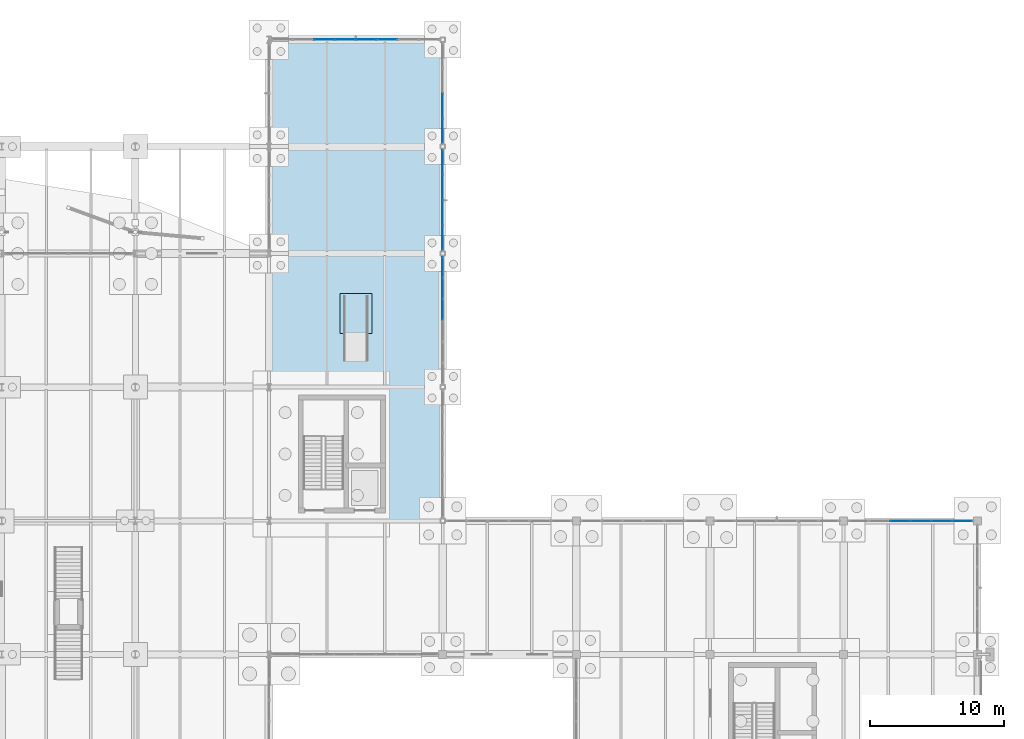
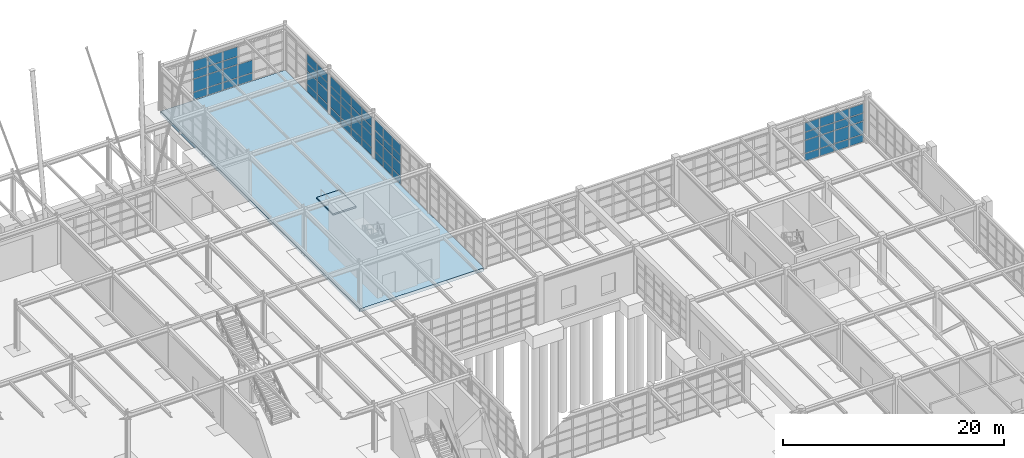
# One storey, part 98 of 145: 66 plates, 2 slabs, 5 elements without a shape of their own.
"""IFC4 building model written with IfcOpenShell, lengths in metres."""

from ifc_helpers import new_model, si_unit, direction, frame, origin, origin_2d, place, context, subcontext, project, spatial, polyline, rectangle, outline, extrude, material, layer, layer_set, type_object, element, aggregate, save


model = new_model("IFC4")

# Units and contexts
model_context = context("Model", 3, precision=1e-05, world=origin(), true_north=direction((0.0, 1.0)))
body_context = subcontext(model_context, "Body", "Model", "MODEL_VIEW")
ifc_project = project(units=[si_unit("LENGTHUNIT", "METRE"), si_unit("AREAUNIT", "SQUARE_METRE"), si_unit("VOLUMEUNIT", "CUBIC_METRE"), si_unit("PLANEANGLEUNIT", "RADIAN"), si_unit("MASSUNIT", "GRAM", prefix="KILO"), si_unit("THERMODYNAMICTEMPERATUREUNIT", "KELVIN"), si_unit("POWERUNIT", "WATT")], contexts=[model_context])

# Site, building, storey
site_placement = place(None, origin())
site = spatial("IfcSite", under=ifc_project, at=site_placement, CompositionType="ELEMENT")
building_placement = place(site_placement, origin())
building = spatial("IfcBuilding", under=site, at=building_placement, Name="Korenveer Ferry Terminal", CompositionType="ELEMENT")
storey_placement = place(building_placement, origin())
storey = spatial("IfcBuildingStorey", under=building, at=storey_placement, Name="L00", CompositionType="ELEMENT", Elevation=0.0)

# Curtain wall, plates
ifc_material_1 = material(Name="Unitised bronze-and-glass curtain wall", Category="glass")
ifc_layer_1 = layer(ifc_material_1, 0.219970703125)
ifc_layer_set_1 = layer_set([ifc_layer_1], Name="Unitised bronze-and-glass curtain wall")
curtain_wall_type_1 = type_object("IfcCurtainWallType", Name="ENV-CW-09", PredefinedType="USERDEFINED", material=ifc_layer_set_1)
curtain_wall_1_placement = place(storey_placement, frame((166.330078125, 80.0, 0.0)))
curtain_wall_1 = element("IfcCurtainWall", 1, at=curtain_wall_1_placement, inside=storey, type_object=curtain_wall_type_1, Name="Lancet curtain wall CWX-L00-X166-176-Y80-80", ObjectType="UNITISED CURTAIN WALL", PredefinedType="USERDEFINED")
ifc_material_2 = material(Name="Acoustic laminated marine glazing", Category="glass")
ifc_layer_2 = layer(ifc_material_2, 0.035888671875)
ifc_layer_set_2 = layer_set([ifc_layer_2], Name="Acoustic laminated marine glazing")
plate_type = type_object("IfcPlateType", Name="ENV-CWP-GLZ36", PredefinedType="CURTAIN_PANEL", material=ifc_layer_set_2)
plate_1_placement = place(storey_placement, frame((170.2216796875, 80.0, 0.074951171875), z_axis=(0.0, 0.0, 1.0), x_axis=(1.0, 0.0, 0.0)))
plate_1 = element("IfcPlate", 2, at=plate_1_placement, type_object=plate_type, Name="CW-09 panel 3.1", PredefinedType="CURTAIN_PANEL", context=body_context, shape_type="SweptSolid", body=[
    extrude(rectangle(XDim=1.481689453125, YDim=0.035888671875, at=origin_2d()), origin(), (0.0, 0.0, 1.0), 0.78759765625),
])
plate_2_placement = place(storey_placement, frame((170.2216796875, 80.0, 0.9375), z_axis=(0.0, 0.0, 1.0), x_axis=(1.0, 0.0, 0.0)))
plate_2 = element("IfcPlate", 3, at=plate_2_placement, type_object=plate_type, Name="CW-09 panel 3.2", PredefinedType="CURTAIN_PANEL", context=body_context, shape_type="SweptSolid", body=[
    extrude(rectangle(XDim=1.481689453125, YDim=0.035888671875, at=origin_2d()), origin(), (0.0, 0.0, 1.0), 1.375),
])
plate_3_placement = place(storey_placement, frame((170.2216796875, 80.0, 2.3876953125), z_axis=(0.0, 0.0, 1.0), x_axis=(1.0, 0.0, 0.0)))
plate_3 = element("IfcPlate", 4, at=plate_3_placement, type_object=plate_type, Name="CW-09 panel 3.3", PredefinedType="CURTAIN_PANEL", context=body_context, shape_type="SweptSolid", body=[
    extrude(rectangle(XDim=1.481689453125, YDim=0.035888671875, at=origin_2d()), origin(), (0.0, 0.0, 1.0), 0.824951171875),
])
plate_4_placement = place(storey_placement, frame((170.2216796875, 80.0, 3.28759765625), z_axis=(0.0, 0.0, 1.0), x_axis=(1.0, 0.0, 0.0)))
plate_4 = element("IfcPlate", 5, at=plate_4_placement, type_object=plate_type, Name="CW-09 panel 3.4", PredefinedType="CURTAIN_PANEL", context=body_context, shape_type="SweptSolid", body=[
    extrude(rectangle(XDim=1.481689453125, YDim=0.035888671875, at=origin_2d()), origin(), (0.0, 0.0, 1.0), 0.9775390625),
])
plate_5_placement = place(storey_placement, frame((171.7783203125, 80.0, 0.074951171875), z_axis=(0.0, 0.0, 1.0), x_axis=(1.0, 0.0, 0.0)))
plate_5 = element("IfcPlate", 6, at=plate_5_placement, type_object=plate_type, Name="CW-09 panel 4.1", PredefinedType="CURTAIN_PANEL", context=body_context, shape_type="SweptSolid", body=[
    extrude(rectangle(XDim=1.481689453125, YDim=0.035888671875, at=origin_2d()), origin(), (0.0, 0.0, 1.0), 0.78759765625),
])
plate_6_placement = place(storey_placement, frame((171.7783203125, 80.0, 0.9375), z_axis=(0.0, 0.0, 1.0), x_axis=(1.0, 0.0, 0.0)))
plate_6 = element("IfcPlate", 7, at=plate_6_placement, type_object=plate_type, Name="CW-09 panel 4.2", PredefinedType="CURTAIN_PANEL", context=body_context, shape_type="SweptSolid", body=[
    extrude(rectangle(XDim=1.481689453125, YDim=0.035888671875, at=origin_2d()), origin(), (0.0, 0.0, 1.0), 1.375),
])
plate_7_placement = place(storey_placement, frame((171.7783203125, 80.0, 2.3876953125), z_axis=(0.0, 0.0, 1.0), x_axis=(1.0, 0.0, 0.0)))
plate_7 = element("IfcPlate", 8, at=plate_7_placement, type_object=plate_type, Name="CW-09 panel 4.3", PredefinedType="CURTAIN_PANEL", context=body_context, shape_type="SweptSolid", body=[
    extrude(rectangle(XDim=1.481689453125, YDim=0.035888671875, at=origin_2d()), origin(), (0.0, 0.0, 1.0), 0.824951171875),
])
plate_8_placement = place(storey_placement, frame((171.7783203125, 80.0, 3.28759765625), z_axis=(0.0, 0.0, 1.0), x_axis=(1.0, 0.0, 0.0)))
plate_8 = element("IfcPlate", 9, at=plate_8_placement, type_object=plate_type, Name="CW-09 panel 4.4", PredefinedType="CURTAIN_PANEL", context=body_context, shape_type="SweptSolid", body=[
    extrude(rectangle(XDim=1.481689453125, YDim=0.035888671875, at=origin_2d()), origin(), (0.0, 0.0, 1.0), 0.9775390625),
])
plate_9_placement = place(storey_placement, frame((173.3349609375, 80.0, 0.074951171875), z_axis=(0.0, 0.0, 1.0), x_axis=(1.0, 0.0, 0.0)))
plate_9 = element("IfcPlate", 10, at=plate_9_placement, type_object=plate_type, Name="CW-09 panel 5.1", PredefinedType="CURTAIN_PANEL", context=body_context, shape_type="SweptSolid", body=[
    extrude(rectangle(XDim=1.481689453125, YDim=0.035888671875, at=origin_2d()), origin(), (0.0, 0.0, 1.0), 0.78759765625),
])
plate_10_placement = place(storey_placement, frame((173.3349609375, 80.0, 0.9375), z_axis=(0.0, 0.0, 1.0), x_axis=(1.0, 0.0, 0.0)))
plate_10 = element("IfcPlate", 11, at=plate_10_placement, type_object=plate_type, Name="CW-09 panel 5.2", PredefinedType="CURTAIN_PANEL", context=body_context, shape_type="SweptSolid", body=[
    extrude(rectangle(XDim=1.481689453125, YDim=0.035888671875, at=origin_2d()), origin(), (0.0, 0.0, 1.0), 1.375),
])
plate_11_placement = place(storey_placement, frame((173.3349609375, 80.0, 2.3876953125), z_axis=(0.0, 0.0, 1.0), x_axis=(1.0, 0.0, 0.0)))
plate_11 = element("IfcPlate", 12, at=plate_11_placement, type_object=plate_type, Name="CW-09 panel 5.3", PredefinedType="CURTAIN_PANEL", context=body_context, shape_type="SweptSolid", body=[
    extrude(rectangle(XDim=1.481689453125, YDim=0.035888671875, at=origin_2d()), origin(), (0.0, 0.0, 1.0), 0.824951171875),
])
plate_12_placement = place(storey_placement, frame((173.3349609375, 80.0, 3.28759765625), z_axis=(0.0, 0.0, 1.0), x_axis=(1.0, 0.0, 0.0)))
plate_12 = element("IfcPlate", 13, at=plate_12_placement, type_object=plate_type, Name="CW-09 panel 5.4", PredefinedType="CURTAIN_PANEL", context=body_context, shape_type="SweptSolid", body=[
    extrude(rectangle(XDim=1.481689453125, YDim=0.035888671875, at=origin_2d()), origin(), (0.0, 0.0, 1.0), 0.9775390625),
])
plate_13_placement = place(storey_placement, frame((174.872802734375, 80.0, 0.074951171875), z_axis=(0.0, 0.0, 1.0), x_axis=(1.0, 0.0, 0.0)))
plate_13 = element("IfcPlate", 14, at=plate_13_placement, type_object=plate_type, Name="CW-09 panel 6.1", PredefinedType="CURTAIN_PANEL", context=body_context, shape_type="SweptSolid", body=[
    extrude(rectangle(XDim=1.444091796875, YDim=0.035888671875, at=origin_2d()), origin(), (0.0, 0.0, 1.0), 0.78759765625),
])
plate_14_placement = place(storey_placement, frame((174.872802734375, 80.0, 0.9375), z_axis=(0.0, 0.0, 1.0), x_axis=(1.0, 0.0, 0.0)))
plate_14 = element("IfcPlate", 15, at=plate_14_placement, type_object=plate_type, Name="CW-09 panel 6.2", PredefinedType="CURTAIN_PANEL", context=body_context, shape_type="SweptSolid", body=[
    extrude(rectangle(XDim=1.444091796875, YDim=0.035888671875, at=origin_2d()), origin(), (0.0, 0.0, 1.0), 1.375),
])
plate_15_placement = place(storey_placement, frame((174.872802734375, 80.0, 2.3876953125), z_axis=(0.0, 0.0, 1.0), x_axis=(1.0, 0.0, 0.0)))
plate_15 = element("IfcPlate", 16, at=plate_15_placement, type_object=plate_type, Name="CW-09 panel 6.3", PredefinedType="CURTAIN_PANEL", context=body_context, shape_type="SweptSolid", body=[
    extrude(rectangle(XDim=1.444091796875, YDim=0.035888671875, at=origin_2d()), origin(), (0.0, 0.0, 1.0), 0.824951171875),
])
plate_16_placement = place(storey_placement, frame((174.872802734375, 80.0, 3.28759765625), z_axis=(0.0, 0.0, 1.0), x_axis=(1.0, 0.0, 0.0)))
plate_16 = element("IfcPlate", 17, at=plate_16_placement, type_object=plate_type, Name="CW-09 panel 6.4", PredefinedType="CURTAIN_PANEL", context=body_context, shape_type="SweptSolid", body=[
    extrude(rectangle(XDim=1.444091796875, YDim=0.035888671875, at=origin_2d()), origin(), (0.0, 0.0, 1.0), 0.9775390625),
])
aggregate(curtain_wall_1, [plate_1, plate_2, plate_3, plate_4, plate_5, plate_6, plate_7, plate_8, plate_9, plate_10, plate_11, plate_12, plate_13, plate_14, plate_15, plate_16])

ifc_layer_3 = layer(ifc_material_1, 0.219970703125)
ifc_layer_set_3 = layer_set([ifc_layer_3], Name="Unitised bronze-and-glass curtain wall")
curtain_wall_type_2 = type_object("IfcCurtainWallType", Name="ENV-CW-17", PredefinedType="USERDEFINED", material=ifc_layer_set_3)
curtain_wall_2_placement = place(storey_placement, frame((123.179931640625, 116.0, 0.0)))
curtain_wall_2 = element("IfcCurtainWall", 18, at=curtain_wall_2_placement, inside=storey, type_object=curtain_wall_type_2, Name="Lancet curtain wall CWX-L00-X123-136-Y116-116", ObjectType="UNITISED CURTAIN WALL", PredefinedType="USERDEFINED")
plate_17_placement = place(storey_placement, frame((127.121337890625, 116.0, 0.074951171875), z_axis=(0.0, 0.0, 1.0), x_axis=(1.0, 0.0, 0.0)))
plate_17 = element("IfcPlate", 19, at=plate_17_placement, type_object=plate_type, Name="CW-17 panel 3.1", PredefinedType="CURTAIN_PANEL", context=body_context, shape_type="SweptSolid", body=[
    extrude(rectangle(XDim=1.50146484375, YDim=0.035888671875, at=origin_2d()), origin(), (0.0, 0.0, 1.0), 0.78759765625),
])
plate_18_placement = place(storey_placement, frame((127.121337890625, 116.0, 0.9375), z_axis=(0.0, 0.0, 1.0), x_axis=(1.0, 0.0, 0.0)))
plate_18 = element("IfcPlate", 20, at=plate_18_placement, type_object=plate_type, Name="CW-17 panel 3.2", PredefinedType="CURTAIN_PANEL", context=body_context, shape_type="SweptSolid", body=[
    extrude(rectangle(XDim=1.50146484375, YDim=0.035888671875, at=origin_2d()), origin(), (0.0, 0.0, 1.0), 1.375),
])
plate_19_placement = place(storey_placement, frame((127.121337890625, 116.0, 2.3876953125), z_axis=(0.0, 0.0, 1.0), x_axis=(1.0, 0.0, 0.0)))
plate_19 = element("IfcPlate", 21, at=plate_19_placement, type_object=plate_type, Name="CW-17 panel 3.3", PredefinedType="CURTAIN_PANEL", context=body_context, shape_type="SweptSolid", body=[
    extrude(rectangle(XDim=1.50146484375, YDim=0.035888671875, at=origin_2d()), origin(), (0.0, 0.0, 1.0), 0.824951171875),
])
plate_20_placement = place(storey_placement, frame((127.121337890625, 116.0, 3.28759765625), z_axis=(0.0, 0.0, 1.0), x_axis=(1.0, 0.0, 0.0)))
plate_20 = element("IfcPlate", 22, at=plate_20_placement, type_object=plate_type, Name="CW-17 panel 3.4", PredefinedType="CURTAIN_PANEL", context=body_context, shape_type="SweptSolid", body=[
    extrude(rectangle(XDim=1.50146484375, YDim=0.035888671875, at=origin_2d()), origin(), (0.0, 0.0, 1.0), 1.027587890625),
])
plate_21_placement = place(storey_placement, frame((128.69775390625, 116.0, 0.074951171875), z_axis=(0.0, 0.0, 1.0), x_axis=(1.0, 0.0, 0.0)))
plate_21 = element("IfcPlate", 23, at=plate_21_placement, type_object=plate_type, Name="CW-17 panel 4.1", PredefinedType="CURTAIN_PANEL", context=body_context, shape_type="SweptSolid", body=[
    extrude(rectangle(XDim=1.50146484375, YDim=0.035888671875, at=origin_2d()), origin(), (0.0, 0.0, 1.0), 0.78759765625),
])
plate_22_placement = place(storey_placement, frame((128.69775390625, 116.0, 0.9375), z_axis=(0.0, 0.0, 1.0), x_axis=(1.0, 0.0, 0.0)))
plate_22 = element("IfcPlate", 24, at=plate_22_placement, type_object=plate_type, Name="CW-17 panel 4.2", PredefinedType="CURTAIN_PANEL", context=body_context, shape_type="SweptSolid", body=[
    extrude(rectangle(XDim=1.50146484375, YDim=0.035888671875, at=origin_2d()), origin(), (0.0, 0.0, 1.0), 1.375),
])
plate_23_placement = place(storey_placement, frame((128.69775390625, 116.0, 2.3876953125), z_axis=(0.0, 0.0, 1.0), x_axis=(1.0, 0.0, 0.0)))
plate_23 = element("IfcPlate", 25, at=plate_23_placement, type_object=plate_type, Name="CW-17 panel 4.3", PredefinedType="CURTAIN_PANEL", context=body_context, shape_type="SweptSolid", body=[
    extrude(rectangle(XDim=1.50146484375, YDim=0.035888671875, at=origin_2d()), origin(), (0.0, 0.0, 1.0), 0.824951171875),
])
plate_24_placement = place(storey_placement, frame((128.69775390625, 116.0, 3.28759765625), z_axis=(0.0, 0.0, 1.0), x_axis=(1.0, 0.0, 0.0)))
plate_24 = element("IfcPlate", 26, at=plate_24_placement, type_object=plate_type, Name="CW-17 panel 4.4", PredefinedType="CURTAIN_PANEL", context=body_context, shape_type="SweptSolid", body=[
    extrude(rectangle(XDim=1.50146484375, YDim=0.035888671875, at=origin_2d()), origin(), (0.0, 0.0, 1.0), 1.027587890625),
])
plate_25_placement = place(storey_placement, frame((130.2744140625, 116.0, 0.074951171875), z_axis=(0.0, 0.0, 1.0), x_axis=(1.0, 0.0, 0.0)))
plate_25 = element("IfcPlate", 27, at=plate_25_placement, type_object=plate_type, Name="CW-17 panel 5.1", PredefinedType="CURTAIN_PANEL", context=body_context, shape_type="SweptSolid", body=[
    extrude(rectangle(XDim=1.50146484375, YDim=0.035888671875, at=origin_2d()), origin(), (0.0, 0.0, 1.0), 0.78759765625),
])
plate_26_placement = place(storey_placement, frame((130.2744140625, 116.0, 0.9375), z_axis=(0.0, 0.0, 1.0), x_axis=(1.0, 0.0, 0.0)))
plate_26 = element("IfcPlate", 28, at=plate_26_placement, type_object=plate_type, Name="CW-17 panel 5.2", PredefinedType="CURTAIN_PANEL", context=body_context, shape_type="SweptSolid", body=[
    extrude(rectangle(XDim=1.50146484375, YDim=0.035888671875, at=origin_2d()), origin(), (0.0, 0.0, 1.0), 1.375),
])
plate_27_placement = place(storey_placement, frame((130.2744140625, 116.0, 2.3876953125), z_axis=(0.0, 0.0, 1.0), x_axis=(1.0, 0.0, 0.0)))
plate_27 = element("IfcPlate", 29, at=plate_27_placement, type_object=plate_type, Name="CW-17 panel 5.3", PredefinedType="CURTAIN_PANEL", context=body_context, shape_type="SweptSolid", body=[
    extrude(rectangle(XDim=1.50146484375, YDim=0.035888671875, at=origin_2d()), origin(), (0.0, 0.0, 1.0), 0.824951171875),
])
plate_28_placement = place(storey_placement, frame((130.2744140625, 116.0, 3.28759765625), z_axis=(0.0, 0.0, 1.0), x_axis=(1.0, 0.0, 0.0)))
plate_28 = element("IfcPlate", 30, at=plate_28_placement, type_object=plate_type, Name="CW-17 panel 5.4", PredefinedType="CURTAIN_PANEL", context=body_context, shape_type="SweptSolid", body=[
    extrude(rectangle(XDim=1.50146484375, YDim=0.035888671875, at=origin_2d()), origin(), (0.0, 0.0, 1.0), 1.027587890625),
])
plate_29_placement = place(storey_placement, frame((131.850830078125, 116.0, 0.074951171875), z_axis=(0.0, 0.0, 1.0), x_axis=(1.0, 0.0, 0.0)))
plate_29 = element("IfcPlate", 31, at=plate_29_placement, type_object=plate_type, Name="CW-17 panel 6.1", PredefinedType="CURTAIN_PANEL", context=body_context, shape_type="SweptSolid", body=[
    extrude(rectangle(XDim=1.50146484375, YDim=0.035888671875, at=origin_2d()), origin(), (0.0, 0.0, 1.0), 0.78759765625),
])
plate_30_placement = place(storey_placement, frame((131.850830078125, 116.0, 0.9375), z_axis=(0.0, 0.0, 1.0), x_axis=(1.0, 0.0, 0.0)))
plate_30 = element("IfcPlate", 32, at=plate_30_placement, type_object=plate_type, Name="CW-17 panel 6.2", PredefinedType="CURTAIN_PANEL", context=body_context, shape_type="SweptSolid", body=[
    extrude(rectangle(XDim=1.50146484375, YDim=0.035888671875, at=origin_2d()), origin(), (0.0, 0.0, 1.0), 1.375),
])
aggregate(curtain_wall_2, [plate_17, plate_18, plate_19, plate_20, plate_21, plate_22, plate_23, plate_24, plate_25, plate_26, plate_27, plate_28, plate_29, plate_30])

ifc_layer_4 = layer(ifc_material_1, 0.219970703125)
ifc_layer_set_4 = layer_set([ifc_layer_4], Name="Unitised bronze-and-glass curtain wall")
curtain_wall_type_3 = type_object("IfcCurtainWallType", Name="ENV-CW-30", PredefinedType="USERDEFINED", material=ifc_layer_set_4)
curtain_wall_3_placement = place(storey_placement, frame((136.0, 99.792236328125, 0.0)))
curtain_wall_3 = element("IfcCurtainWall", 33, at=curtain_wall_3_placement, inside=storey, type_object=curtain_wall_type_3, Name="Lancet curtain wall CWX-L00-X136-136-Y90-100", ObjectType="UNITISED CURTAIN WALL", PredefinedType="USERDEFINED")
plate_31_placement = place(storey_placement, frame((136.0, 98.974853515625, 0.074951171875), z_axis=(0.0, 0.0, 1.0), x_axis=(0.0, -1.0, 0.0)))
plate_31 = element("IfcPlate", 34, at=plate_31_placement, type_object=plate_type, Name="CW-30 panel 1.1", PredefinedType="CURTAIN_PANEL", context=body_context, shape_type="SweptSolid", body=[
    extrude(rectangle(XDim=1.48486328125, YDim=0.035888671875, at=origin_2d()), origin(), (0.0, 0.0, 1.0), 0.78759765625),
])
plate_32_placement = place(storey_placement, frame((136.0, 98.974853515625, 0.9375), z_axis=(0.0, 0.0, 1.0), x_axis=(0.0, -1.0, 0.0)))
plate_32 = element("IfcPlate", 35, at=plate_32_placement, type_object=plate_type, Name="CW-30 panel 1.2", PredefinedType="CURTAIN_PANEL", context=body_context, shape_type="SweptSolid", body=[
    extrude(rectangle(XDim=1.48486328125, YDim=0.035888671875, at=origin_2d()), origin(), (0.0, 0.0, 1.0), 1.375),
])
plate_33_placement = place(storey_placement, frame((136.0, 98.974853515625, 2.3876953125), z_axis=(0.0, 0.0, 1.0), x_axis=(0.0, -1.0, 0.0)))
plate_33 = element("IfcPlate", 36, at=plate_33_placement, type_object=plate_type, Name="CW-30 panel 1.3", PredefinedType="CURTAIN_PANEL", context=body_context, shape_type="SweptSolid", body=[
    extrude(rectangle(XDim=1.48486328125, YDim=0.035888671875, at=origin_2d()), origin(), (0.0, 0.0, 1.0), 0.824951171875),
])
plate_34_placement = place(storey_placement, frame((136.0, 98.974853515625, 3.28759765625), z_axis=(0.0, 0.0, 1.0), x_axis=(0.0, -1.0, 0.0)))
plate_34 = element("IfcPlate", 37, at=plate_34_placement, type_object=plate_type, Name="CW-30 panel 1.4", PredefinedType="CURTAIN_PANEL", context=body_context, shape_type="SweptSolid", body=[
    extrude(rectangle(XDim=1.48486328125, YDim=0.035888671875, at=origin_2d()), origin(), (0.0, 0.0, 1.0), 1.12744140625),
])
plate_35_placement = place(storey_placement, frame((136.0, 97.39599609375, 0.074951171875), z_axis=(0.0, 0.0, 1.0), x_axis=(0.0, -1.0, 0.0)))
plate_35 = element("IfcPlate", 38, at=plate_35_placement, type_object=plate_type, Name="CW-30 panel 2.1", PredefinedType="CURTAIN_PANEL", context=body_context, shape_type="SweptSolid", body=[
    extrude(rectangle(XDim=1.5224609375, YDim=0.035888671875, at=origin_2d()), origin(), (0.0, 0.0, 1.0), 0.78759765625),
])
plate_36_placement = place(storey_placement, frame((136.0, 97.39599609375, 0.9375), z_axis=(0.0, 0.0, 1.0), x_axis=(0.0, -1.0, 0.0)))
plate_36 = element("IfcPlate", 39, at=plate_36_placement, type_object=plate_type, Name="CW-30 panel 2.2", PredefinedType="CURTAIN_PANEL", context=body_context, shape_type="SweptSolid", body=[
    extrude(rectangle(XDim=1.5224609375, YDim=0.035888671875, at=origin_2d()), origin(), (0.0, 0.0, 1.0), 1.375),
])
plate_37_placement = place(storey_placement, frame((136.0, 97.39599609375, 2.3876953125), z_axis=(0.0, 0.0, 1.0), x_axis=(0.0, -1.0, 0.0)))
plate_37 = element("IfcPlate", 40, at=plate_37_placement, type_object=plate_type, Name="CW-30 panel 2.3", PredefinedType="CURTAIN_PANEL", context=body_context, shape_type="SweptSolid", body=[
    extrude(rectangle(XDim=1.5224609375, YDim=0.035888671875, at=origin_2d()), origin(), (0.0, 0.0, 1.0), 0.824951171875),
])
plate_38_placement = place(storey_placement, frame((136.0, 97.39599609375, 3.28759765625), z_axis=(0.0, 0.0, 1.0), x_axis=(0.0, -1.0, 0.0)))
plate_38 = element("IfcPlate", 41, at=plate_38_placement, type_object=plate_type, Name="CW-30 panel 2.4", PredefinedType="CURTAIN_PANEL", context=body_context, shape_type="SweptSolid", body=[
    extrude(rectangle(XDim=1.5224609375, YDim=0.035888671875, at=origin_2d()), origin(), (0.0, 0.0, 1.0), 1.12744140625),
])
plate_39_placement = place(storey_placement, frame((136.0, 95.798583984375, 0.074951171875), z_axis=(0.0, 0.0, 1.0), x_axis=(0.0, -1.0, 0.0)))
plate_39 = element("IfcPlate", 42, at=plate_39_placement, type_object=plate_type, Name="CW-30 panel 3.1", PredefinedType="CURTAIN_PANEL", context=body_context, shape_type="SweptSolid", body=[
    extrude(rectangle(XDim=1.5224609375, YDim=0.035888671875, at=origin_2d()), origin(), (0.0, 0.0, 1.0), 0.78759765625),
])
plate_40_placement = place(storey_placement, frame((136.0, 95.798583984375, 0.9375), z_axis=(0.0, 0.0, 1.0), x_axis=(0.0, -1.0, 0.0)))
plate_40 = element("IfcPlate", 43, at=plate_40_placement, type_object=plate_type, Name="CW-30 panel 3.2", PredefinedType="CURTAIN_PANEL", context=body_context, shape_type="SweptSolid", body=[
    extrude(rectangle(XDim=1.5224609375, YDim=0.035888671875, at=origin_2d()), origin(), (0.0, 0.0, 1.0), 1.375),
])
plate_41_placement = place(storey_placement, frame((136.0, 95.798583984375, 2.3876953125), z_axis=(0.0, 0.0, 1.0), x_axis=(0.0, -1.0, 0.0)))
plate_41 = element("IfcPlate", 44, at=plate_41_placement, type_object=plate_type, Name="CW-30 panel 3.3", PredefinedType="CURTAIN_PANEL", context=body_context, shape_type="SweptSolid", body=[
    extrude(rectangle(XDim=1.5224609375, YDim=0.035888671875, at=origin_2d()), origin(), (0.0, 0.0, 1.0), 0.824951171875),
])
plate_42_placement = place(storey_placement, frame((136.0, 95.798583984375, 3.28759765625), z_axis=(0.0, 0.0, 1.0), x_axis=(0.0, -1.0, 0.0)))
plate_42 = element("IfcPlate", 45, at=plate_42_placement, type_object=plate_type, Name="CW-30 panel 3.4", PredefinedType="CURTAIN_PANEL", context=body_context, shape_type="SweptSolid", body=[
    extrude(rectangle(XDim=1.5224609375, YDim=0.035888671875, at=origin_2d()), origin(), (0.0, 0.0, 1.0), 1.12744140625),
])
aggregate(curtain_wall_3, [plate_31, plate_32, plate_33, plate_34, plate_35, plate_36, plate_37, plate_38, plate_39, plate_40, plate_41, plate_42])

ifc_layer_5 = layer(ifc_material_1, 0.219970703125)
ifc_layer_set_5 = layer_set([ifc_layer_5], Name="Unitised bronze-and-glass curtain wall")
curtain_wall_type_4 = type_object("IfcCurtainWallType", Name="ENV-CW-24", PredefinedType="USERDEFINED", material=ifc_layer_set_5)
curtain_wall_4_placement = place(storey_placement, frame((136.0, 107.792236328125, 0.0)))
curtain_wall_4 = element("IfcCurtainWall", 46, at=curtain_wall_4_placement, inside=storey, type_object=curtain_wall_type_4, Name="Lancet curtain wall CWX-L00-X136-136-Y100-108", ObjectType="UNITISED CURTAIN WALL", PredefinedType="USERDEFINED")
plate_43_placement = place(storey_placement, frame((136.0, 106.825439453125, 0.074951171875), z_axis=(0.0, 0.0, 1.0), x_axis=(0.0, -1.0, 0.0)))
plate_43 = element("IfcPlate", 47, at=plate_43_placement, type_object=plate_type, Name="CW-24 panel 1.1", PredefinedType="CURTAIN_PANEL", context=body_context, shape_type="SweptSolid", body=[
    extrude(rectangle(XDim=1.78369140625, YDim=0.035888671875, at=origin_2d()), origin(), (0.0, 0.0, 1.0), 0.78759765625),
])
plate_44_placement = place(storey_placement, frame((136.0, 106.825439453125, 0.9375), z_axis=(0.0, 0.0, 1.0), x_axis=(0.0, -1.0, 0.0)))
plate_44 = element("IfcPlate", 48, at=plate_44_placement, type_object=plate_type, Name="CW-24 panel 1.2", PredefinedType="CURTAIN_PANEL", context=body_context, shape_type="SweptSolid", body=[
    extrude(rectangle(XDim=1.78369140625, YDim=0.035888671875, at=origin_2d()), origin(), (0.0, 0.0, 1.0), 1.375),
])
plate_45_placement = place(storey_placement, frame((136.0, 106.825439453125, 2.3876953125), z_axis=(0.0, 0.0, 1.0), x_axis=(0.0, -1.0, 0.0)))
plate_45 = element("IfcPlate", 49, at=plate_45_placement, type_object=plate_type, Name="CW-24 panel 1.3", PredefinedType="CURTAIN_PANEL", context=body_context, shape_type="SweptSolid", body=[
    extrude(rectangle(XDim=1.78369140625, YDim=0.035888671875, at=origin_2d()), origin(), (0.0, 0.0, 1.0), 0.824951171875),
])
plate_46_placement = place(storey_placement, frame((136.0, 106.825439453125, 3.28759765625), z_axis=(0.0, 0.0, 1.0), x_axis=(0.0, -1.0, 0.0)))
plate_46 = element("IfcPlate", 50, at=plate_46_placement, type_object=plate_type, Name="CW-24 panel 1.4", PredefinedType="CURTAIN_PANEL", context=body_context, shape_type="SweptSolid", body=[
    extrude(rectangle(XDim=1.78369140625, YDim=0.035888671875, at=origin_2d()), origin(), (0.0, 0.0, 1.0), 1.027587890625),
])
plate_47_placement = place(storey_placement, frame((136.0, 104.947998046875, 0.074951171875), z_axis=(0.0, 0.0, 1.0), x_axis=(0.0, -1.0, 0.0)))
plate_47 = element("IfcPlate", 51, at=plate_47_placement, type_object=plate_type, Name="CW-24 panel 2.1", PredefinedType="CURTAIN_PANEL", context=body_context, shape_type="SweptSolid", body=[
    extrude(rectangle(XDim=1.821044921875, YDim=0.035888671875, at=origin_2d()), origin(), (0.0, 0.0, 1.0), 0.78759765625),
])
plate_48_placement = place(storey_placement, frame((136.0, 104.947998046875, 0.9375), z_axis=(0.0, 0.0, 1.0), x_axis=(0.0, -1.0, 0.0)))
plate_48 = element("IfcPlate", 52, at=plate_48_placement, type_object=plate_type, Name="CW-24 panel 2.2", PredefinedType="CURTAIN_PANEL", context=body_context, shape_type="SweptSolid", body=[
    extrude(rectangle(XDim=1.821044921875, YDim=0.035888671875, at=origin_2d()), origin(), (0.0, 0.0, 1.0), 1.375),
])
plate_49_placement = place(storey_placement, frame((136.0, 104.947998046875, 2.3876953125), z_axis=(0.0, 0.0, 1.0), x_axis=(0.0, -1.0, 0.0)))
plate_49 = element("IfcPlate", 53, at=plate_49_placement, type_object=plate_type, Name="CW-24 panel 2.3", PredefinedType="CURTAIN_PANEL", context=body_context, shape_type="SweptSolid", body=[
    extrude(rectangle(XDim=1.821044921875, YDim=0.035888671875, at=origin_2d()), origin(), (0.0, 0.0, 1.0), 0.824951171875),
])
plate_50_placement = place(storey_placement, frame((136.0, 104.947998046875, 3.28759765625), z_axis=(0.0, 0.0, 1.0), x_axis=(0.0, -1.0, 0.0)))
plate_50 = element("IfcPlate", 54, at=plate_50_placement, type_object=plate_type, Name="CW-24 panel 2.4", PredefinedType="CURTAIN_PANEL", context=body_context, shape_type="SweptSolid", body=[
    extrude(rectangle(XDim=1.821044921875, YDim=0.035888671875, at=origin_2d()), origin(), (0.0, 0.0, 1.0), 1.027587890625),
])
plate_51_placement = place(storey_placement, frame((136.0, 103.052001953125, 0.074951171875), z_axis=(0.0, 0.0, 1.0), x_axis=(0.0, -1.0, 0.0)))
plate_51 = element("IfcPlate", 55, at=plate_51_placement, type_object=plate_type, Name="CW-24 panel 3.1", PredefinedType="CURTAIN_PANEL", context=body_context, shape_type="SweptSolid", body=[
    extrude(rectangle(XDim=1.821044921875, YDim=0.035888671875, at=origin_2d()), origin(), (0.0, 0.0, 1.0), 0.78759765625),
])
plate_52_placement = place(storey_placement, frame((136.0, 103.052001953125, 0.9375), z_axis=(0.0, 0.0, 1.0), x_axis=(0.0, -1.0, 0.0)))
plate_52 = element("IfcPlate", 56, at=plate_52_placement, type_object=plate_type, Name="CW-24 panel 3.2", PredefinedType="CURTAIN_PANEL", context=body_context, shape_type="SweptSolid", body=[
    extrude(rectangle(XDim=1.821044921875, YDim=0.035888671875, at=origin_2d()), origin(), (0.0, 0.0, 1.0), 1.375),
])
plate_53_placement = place(storey_placement, frame((136.0, 103.052001953125, 2.3876953125), z_axis=(0.0, 0.0, 1.0), x_axis=(0.0, -1.0, 0.0)))
plate_53 = element("IfcPlate", 57, at=plate_53_placement, type_object=plate_type, Name="CW-24 panel 3.3", PredefinedType="CURTAIN_PANEL", context=body_context, shape_type="SweptSolid", body=[
    extrude(rectangle(XDim=1.821044921875, YDim=0.035888671875, at=origin_2d()), origin(), (0.0, 0.0, 1.0), 0.824951171875),
])
plate_54_placement = place(storey_placement, frame((136.0, 103.052001953125, 3.28759765625), z_axis=(0.0, 0.0, 1.0), x_axis=(0.0, -1.0, 0.0)))
plate_54 = element("IfcPlate", 58, at=plate_54_placement, type_object=plate_type, Name="CW-24 panel 3.4", PredefinedType="CURTAIN_PANEL", context=body_context, shape_type="SweptSolid", body=[
    extrude(rectangle(XDim=1.821044921875, YDim=0.035888671875, at=origin_2d()), origin(), (0.0, 0.0, 1.0), 1.027587890625),
])
plate_55_placement = place(storey_placement, frame((136.0, 101.174560546875, 0.074951171875), z_axis=(0.0, 0.0, 1.0), x_axis=(0.0, -1.0, 0.0)))
plate_55 = element("IfcPlate", 59, at=plate_55_placement, type_object=plate_type, Name="CW-24 panel 4.1", PredefinedType="CURTAIN_PANEL", context=body_context, shape_type="SweptSolid", body=[
    extrude(rectangle(XDim=1.78369140625, YDim=0.035888671875, at=origin_2d()), origin(), (0.0, 0.0, 1.0), 0.78759765625),
])
plate_56_placement = place(storey_placement, frame((136.0, 101.174560546875, 0.9375), z_axis=(0.0, 0.0, 1.0), x_axis=(0.0, -1.0, 0.0)))
plate_56 = element("IfcPlate", 60, at=plate_56_placement, type_object=plate_type, Name="CW-24 panel 4.2", PredefinedType="CURTAIN_PANEL", context=body_context, shape_type="SweptSolid", body=[
    extrude(rectangle(XDim=1.78369140625, YDim=0.035888671875, at=origin_2d()), origin(), (0.0, 0.0, 1.0), 1.375),
])
plate_57_placement = place(storey_placement, frame((136.0, 101.174560546875, 2.3876953125), z_axis=(0.0, 0.0, 1.0), x_axis=(0.0, -1.0, 0.0)))
plate_57 = element("IfcPlate", 61, at=plate_57_placement, type_object=plate_type, Name="CW-24 panel 4.3", PredefinedType="CURTAIN_PANEL", context=body_context, shape_type="SweptSolid", body=[
    extrude(rectangle(XDim=1.78369140625, YDim=0.035888671875, at=origin_2d()), origin(), (0.0, 0.0, 1.0), 0.824951171875),
])
plate_58_placement = place(storey_placement, frame((136.0, 101.174560546875, 3.28759765625), z_axis=(0.0, 0.0, 1.0), x_axis=(0.0, -1.0, 0.0)))
plate_58 = element("IfcPlate", 62, at=plate_58_placement, type_object=plate_type, Name="CW-24 panel 4.4", PredefinedType="CURTAIN_PANEL", context=body_context, shape_type="SweptSolid", body=[
    extrude(rectangle(XDim=1.78369140625, YDim=0.035888671875, at=origin_2d()), origin(), (0.0, 0.0, 1.0), 1.027587890625),
])
aggregate(curtain_wall_4, [plate_43, plate_44, plate_45, plate_46, plate_47, plate_48, plate_49, plate_50, plate_51, plate_52, plate_53, plate_54, plate_55, plate_56, plate_57, plate_58])

ifc_layer_6 = layer(ifc_material_1, 0.219970703125)
ifc_layer_set_6 = layer_set([ifc_layer_6], Name="Unitised bronze-and-glass curtain wall")
curtain_wall_type_5 = type_object("IfcCurtainWallType", Name="ENV-CW-31", PredefinedType="USERDEFINED", material=ifc_layer_set_6)
curtain_wall_5_placement = place(storey_placement, frame((136.0, 115.792236328125, 0.0)))
curtain_wall_5 = element("IfcCurtainWall", 63, at=curtain_wall_5_placement, inside=storey, type_object=curtain_wall_type_5, Name="Lancet curtain wall CWX-L00-X136-136-Y108-116", ObjectType="UNITISED CURTAIN WALL", PredefinedType="USERDEFINED")
plate_59_placement = place(storey_placement, frame((136.0, 111.052001953125, 0.074951171875), z_axis=(0.0, 0.0, 1.0), x_axis=(0.0, -1.0, 0.0)))
plate_59 = element("IfcPlate", 64, at=plate_59_placement, type_object=plate_type, Name="CW-31 panel 3.1", PredefinedType="CURTAIN_PANEL", context=body_context, shape_type="SweptSolid", body=[
    extrude(rectangle(XDim=1.821044921875, YDim=0.035888671875, at=origin_2d()), origin(), (0.0, 0.0, 1.0), 0.78759765625),
])
plate_60_placement = place(storey_placement, frame((136.0, 111.052001953125, 0.9375), z_axis=(0.0, 0.0, 1.0), x_axis=(0.0, -1.0, 0.0)))
plate_60 = element("IfcPlate", 65, at=plate_60_placement, type_object=plate_type, Name="CW-31 panel 3.2", PredefinedType="CURTAIN_PANEL", context=body_context, shape_type="SweptSolid", body=[
    extrude(rectangle(XDim=1.821044921875, YDim=0.035888671875, at=origin_2d()), origin(), (0.0, 0.0, 1.0), 1.375),
])
plate_61_placement = place(storey_placement, frame((136.0, 111.052001953125, 2.3876953125), z_axis=(0.0, 0.0, 1.0), x_axis=(0.0, -1.0, 0.0)))
plate_61 = element("IfcPlate", 66, at=plate_61_placement, type_object=plate_type, Name="CW-31 panel 3.3", PredefinedType="CURTAIN_PANEL", context=body_context, shape_type="SweptSolid", body=[
    extrude(rectangle(XDim=1.821044921875, YDim=0.035888671875, at=origin_2d()), origin(), (0.0, 0.0, 1.0), 0.824951171875),
])
plate_62_placement = place(storey_placement, frame((136.0, 111.052001953125, 3.28759765625), z_axis=(0.0, 0.0, 1.0), x_axis=(0.0, -1.0, 0.0)))
plate_62 = element("IfcPlate", 67, at=plate_62_placement, type_object=plate_type, Name="CW-31 panel 3.4", PredefinedType="CURTAIN_PANEL", context=body_context, shape_type="SweptSolid", body=[
    extrude(rectangle(XDim=1.821044921875, YDim=0.035888671875, at=origin_2d()), origin(), (0.0, 0.0, 1.0), 0.927490234375),
])
plate_63_placement = place(storey_placement, frame((136.0, 109.174560546875, 0.074951171875), z_axis=(0.0, 0.0, 1.0), x_axis=(0.0, -1.0, 0.0)))
plate_63 = element("IfcPlate", 68, at=plate_63_placement, type_object=plate_type, Name="CW-31 panel 4.1", PredefinedType="CURTAIN_PANEL", context=body_context, shape_type="SweptSolid", body=[
    extrude(rectangle(XDim=1.78369140625, YDim=0.035888671875, at=origin_2d()), origin(), (0.0, 0.0, 1.0), 0.78759765625),
])
plate_64_placement = place(storey_placement, frame((136.0, 109.174560546875, 0.9375), z_axis=(0.0, 0.0, 1.0), x_axis=(0.0, -1.0, 0.0)))
plate_64 = element("IfcPlate", 69, at=plate_64_placement, type_object=plate_type, Name="CW-31 panel 4.2", PredefinedType="CURTAIN_PANEL", context=body_context, shape_type="SweptSolid", body=[
    extrude(rectangle(XDim=1.78369140625, YDim=0.035888671875, at=origin_2d()), origin(), (0.0, 0.0, 1.0), 1.375),
])
plate_65_placement = place(storey_placement, frame((136.0, 109.174560546875, 2.3876953125), z_axis=(0.0, 0.0, 1.0), x_axis=(0.0, -1.0, 0.0)))
plate_65 = element("IfcPlate", 70, at=plate_65_placement, type_object=plate_type, Name="CW-31 panel 4.3", PredefinedType="CURTAIN_PANEL", context=body_context, shape_type="SweptSolid", body=[
    extrude(rectangle(XDim=1.78369140625, YDim=0.035888671875, at=origin_2d()), origin(), (0.0, 0.0, 1.0), 0.824951171875),
])
plate_66_placement = place(storey_placement, frame((136.0, 109.174560546875, 3.28759765625), z_axis=(0.0, 0.0, 1.0), x_axis=(0.0, -1.0, 0.0)))
plate_66 = element("IfcPlate", 71, at=plate_66_placement, type_object=plate_type, Name="CW-31 panel 4.4", PredefinedType="CURTAIN_PANEL", context=body_context, shape_type="SweptSolid", body=[
    extrude(rectangle(XDim=1.78369140625, YDim=0.035888671875, at=origin_2d()), origin(), (0.0, 0.0, 1.0), 0.927490234375),
])
aggregate(curtain_wall_5, [plate_59, plate_60, plate_61, plate_62, plate_63, plate_64, plate_65, plate_66])

# Slabs
ifc_material_3 = material(Name="Concrete C40/50", Category="concrete")
ifc_layer_7 = layer(ifc_material_3, 0.35009765625)
ifc_layer_set_7 = layer_set([ifc_layer_7], Name="Concrete C40/50")
slab_type_1 = type_object("IfcSlabType", Name="STR-SL-BASE350", PredefinedType="BASESLAB", material=ifc_layer_set_7)
slab_1_placement = place(storey_placement, frame((0.0, 0.0, -0.35009765625)))
element("IfcSlab", 72, at=slab_1_placement, inside=storey, type_object=slab_type_1, Name="Floor slab SL-L00-PE2", PredefinedType="BASESLAB", context=body_context, shape_type="SweptSolid", body=[
    extrude(outline(polyline([(123.0, 80.0), (136.0, 80.0), (136.0, 116.0), (123.0, 116.0), (123.0, 80.0)])), origin(), (0.0, 0.0, 1.0), 0.35009765625),
])
ifc_material_4 = material(Name="Concrete C35/45", Category="concrete")
ifc_layer_8 = layer(ifc_material_4, 0.159912109375)
ifc_layer_set_8 = layer_set([ifc_layer_8], Name="Concrete C35/45")
slab_type_2 = type_object("IfcSlabType", Name="STR-SL-WING160", PredefinedType="ROOF", material=ifc_layer_set_8)
slab_2_placement = place(storey_placement, origin())
element("IfcSlab", 73, at=slab_2_placement, inside=storey, type_object=slab_type_2, Name="East Mooring Threshold Ramp boarding plinth", PredefinedType="ROOF", context=body_context, shape_type="SweptSolid", body=[
    extrude(outline(polyline([(128.300048828125, 94.0), (130.699951171875, 94.0), (130.699951171875, 97.0), (128.300048828125, 97.0), (128.300048828125, 94.0)])), origin(), (0.0, 0.0, 1.0), 0.159912109375),
])

save(model, "model.ifc")
